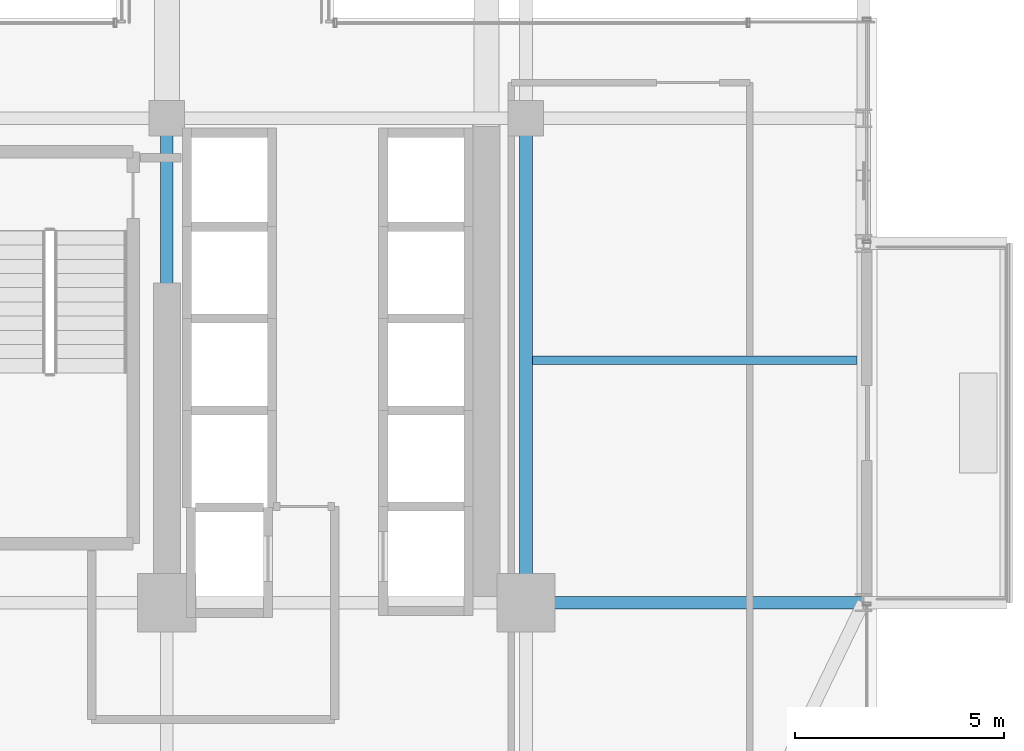
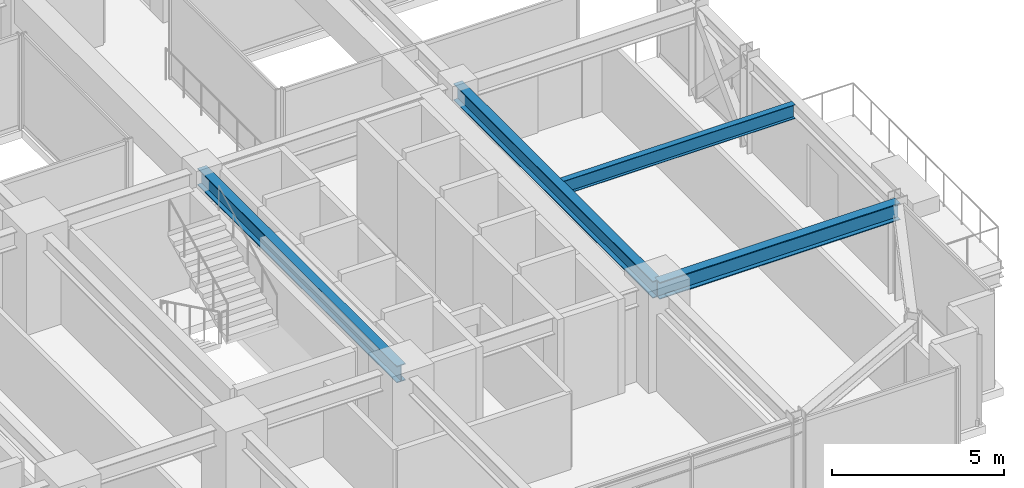
# One storey, part 17 of 47: 4 beams.
"""IFC4 building model written with IfcOpenShell, lengths in metres."""

from ifc_helpers import new_model, si_unit, direction, frame, origin, origin_2d, place, context, subcontext, project, spatial, i_section, extrude, source, transform, mapped, material, material_profile, profile_set, type_object, element, save


model = new_model("IFC4")

# Units and contexts
model_context = context("Model", 3, precision=1e-05, world=origin(), true_north=direction((0.0, 1.0)))
body_context = subcontext(model_context, "Body", "Model", "MODEL_VIEW")
ifc_project = project(units=[si_unit("LENGTHUNIT", "METRE"), si_unit("AREAUNIT", "SQUARE_METRE"), si_unit("VOLUMEUNIT", "CUBIC_METRE"), si_unit("PLANEANGLEUNIT", "RADIAN"), si_unit("MASSUNIT", "GRAM", prefix="KILO")], contexts=[model_context])

# Site, building, storey
site_placement = place(None, origin())
site = spatial("IfcSite", under=ifc_project, at=site_placement, CompositionType="ELEMENT")
building_placement = place(site_placement, origin())
building = spatial("IfcBuilding", under=site, at=building_placement, Name="Nahalor Promenade Grand Hotel", CompositionType="ELEMENT")
storey_placement = place(building_placement, frame((0.0, 0.0, 68.89990234375)))
storey = spatial("IfcBuildingStorey", under=building, at=storey_placement, Name="L16", CompositionType="ELEMENT", Elevation=68.89990234375)

# Beams
ifc_material = material(Name="Steel S355JR", Category="steel")
ifc_material_profile_1 = material_profile(ifc_material, i_section(OverallWidth=0.3, OverallDepth=0.6, WebThickness=0.0155, FlangeThickness=0.03, at=origin_2d()), Name="HEB 600")
ifc_profile_set_1 = profile_set([ifc_material_profile_1], Name="Steel S355JR")
beam_type_1 = type_object("IfcBeamType", Name="Beam-Girder-HEB600", PredefinedType="BEAM", material=ifc_profile_set_1)
shared_shape_1 = source(origin(), body_context, "Body", "SweptSolid", [
    extrude(i_section(OverallWidth=0.3, OverallDepth=0.6, WebThickness=0.0155, FlangeThickness=0.03, at=origin_2d()), origin(), (0.0, 0.0, 1.0), 11.60009765625),
])
for number, where, z_axis, x_axis, name in (
    (1, (8.39990234375, -17.0, 3.070068359375), (0.0, 1.0, 0.0), (-1.0, 0.0, 0.0), "BM-L16-GY-4-1"),
    (2, (17.0, -17.0, 3.070068359375), (0.0, 1.0, 0.0), (-1.0, 0.0, 0.0), "BM-L16-GY-5-1"),
):
    element("IfcBeam", number, at=place(storey_placement, frame(where, z_axis=z_axis, x_axis=x_axis)), inside=storey, type_object=beam_type_1, Name=name, PredefinedType="BEAM", context=body_context, shape_type="MappedRepresentation", body=[
        mapped(shared_shape_1, transform((0.0, 0.0, 0.0), scale=1.0)),
    ])
shared_shape_2 = source(origin(), body_context, "Body", "SweptSolid", [
    extrude(i_section(OverallWidth=0.3, OverallDepth=0.6, WebThickness=0.0155, FlangeThickness=0.03, at=origin_2d()), origin(), (0.0, 0.0, 1.0), 8.080078125),
])
beam_1_placement = place(storey_placement, frame((17.0, -17.0, 3.070068359375), z_axis=(1.0, 0.0, 0.0), x_axis=(0.0, 1.0, 0.0)))
element("IfcBeam", 3, at=beam_1_placement, inside=storey, type_object=beam_type_1, Name="BM-L16-GX-0-6", PredefinedType="BEAM", context=body_context, shape_type="MappedRepresentation", body=[
    mapped(shared_shape_2, transform((0.0, 0.0, 0.0), scale=1.0)),
])
ifc_material_profile_2 = material_profile(ifc_material, i_section(OverallWidth=0.2, OverallDepth=0.5, WebThickness=0.0102, FlangeThickness=0.016, at=origin_2d()), Name="IPE 500")
ifc_profile_set_2 = profile_set([ifc_material_profile_2], Name="Steel S355JR")
beam_type_2 = type_object("IfcBeamType", Name="Beam-Joist-IPE500", PredefinedType="JOIST", material=ifc_profile_set_2)
shared_shape_3 = source(origin(), body_context, "Body", "SweptSolid", [
    extrude(i_section(OverallWidth=0.2, OverallDepth=0.5, WebThickness=0.0102, FlangeThickness=0.016, at=origin_2d()), origin(), (0.0, 0.0, 1.0), 7.780029296875),
])
beam_2_placement = place(storey_placement, frame((17.14990234375, -11.199951171875, 3.1201171875), z_axis=(1.0, 0.0, 0.0), x_axis=(0.0, 1.0, 0.0)))
element("IfcBeam", 4, at=beam_2_placement, inside=storey, type_object=beam_type_2, Name="BM-L16-JSE-0-2", PredefinedType="JOIST", context=body_context, shape_type="MappedRepresentation", body=[
    mapped(shared_shape_3, transform((0.0, 0.0, 0.0), scale=1.0)),
])

save(model, "model.ifc")
